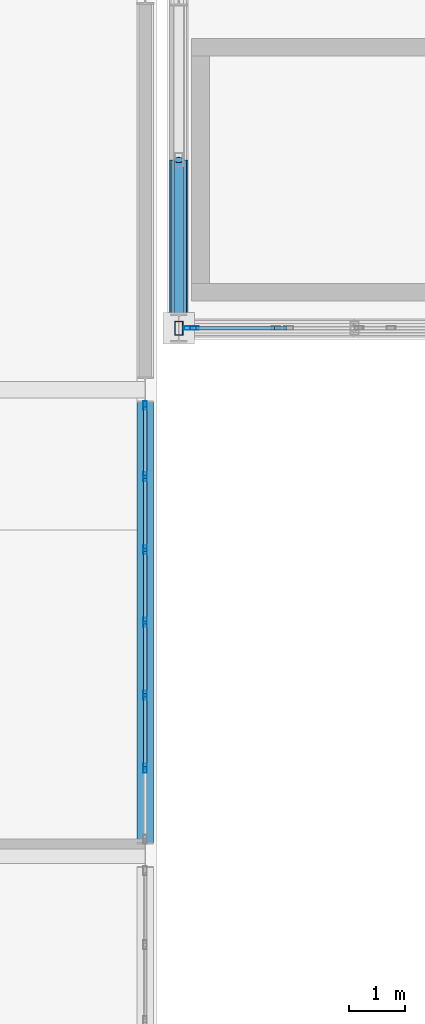
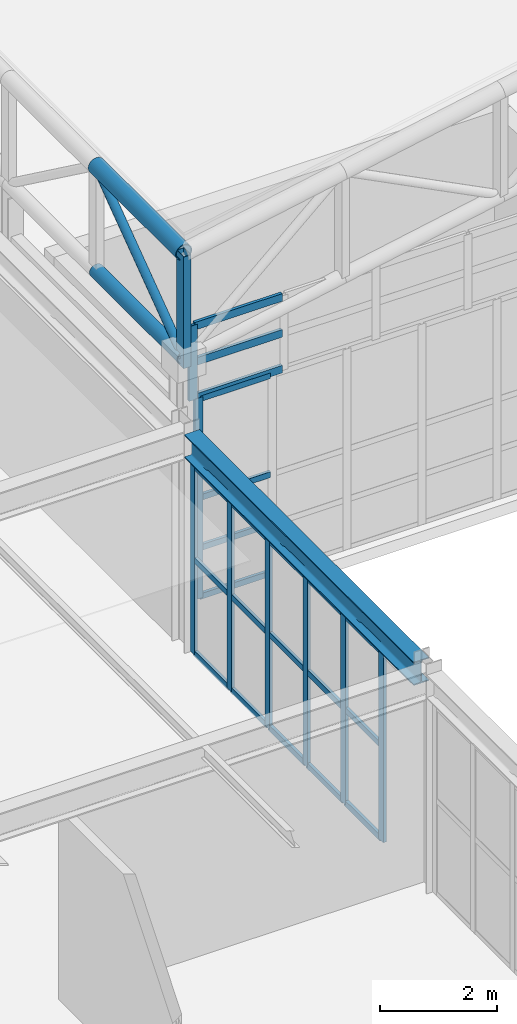
# One storey, part 41 of 112: 34 members, 1 beam, 3 elements without a shape of their own.
"""IFC4 building model written with IfcOpenShell, lengths in metres."""

import ifcopenshell
import ifcopenshell.guid

model = None  # the IFC model being written
_history = None  # IfcOwnerHistory: only IFC2X3 demands one
_inside = {}  # id of a spatial element -> (the spatial element, [elements in it])
_under = {}  # id of a project, library or spatial element -> (it, [spatial elements below it])
_declared = {}  # id of a project -> (the project, [libraries it declares])
_typed = {}  # id of a type object -> (the type object, [elements of that type])
_made_of = {}  # id of a material, layer set ... -> (it, [elements and type objects made of it])


def new_model(schema):
    """Start an empty IFC model of exactly this schema.

    Asked for "IFC4X3", IfcOpenShell would pick the latest addendum, in which some entities
    have other attributes; the version numbers below select the first issue.
    IFC2X3 requires an IfcOwnerHistory on every rooted entity: one is made here for all.
    """
    global model, _history
    if schema == "IFC4X3":
        model = ifcopenshell.file(schema_version=(4, 3, 0, 0))
    else:
        model = ifcopenshell.file(schema=schema)
    _inside.clear()
    _under.clear()
    _declared.clear()
    _typed.clear()
    _made_of.clear()
    _history = None
    if model.schema == "IFC2X3":
        org = make("IfcOrganization", Name="unknown")
        user = make(
            "IfcPersonAndOrganization",
            ThePerson=make("IfcPerson", FamilyName="unknown"),
            TheOrganization=org,
        )
        app = make(
            "IfcApplication",
            ApplicationDeveloper=org,
            Version="unknown",
            ApplicationFullName="unknown",
            ApplicationIdentifier="unknown",
        )
        _history = make(
            "IfcOwnerHistory",
            OwningUser=user,
            OwningApplication=app,
            ChangeAction="ADDED",
            CreationDate=0,
        )
    return model


def make(cls, **values):
    """One entity of the class cls with the attributes given. An attribute that is None is left unset."""
    return model.create_entity(
        cls, **{name: value for name, value in values.items() if value is not None}
    )


def rooted(cls, **values):
    """An entity with a GlobalId (a new one), such as an element, a storey or a relation."""
    return make(cls, GlobalId=ifcopenshell.guid.new(), OwnerHistory=_history, **values)


def si_unit(unit_type, name, prefix=None):
    """IfcSIUnit, for example si_unit("LENGTHUNIT", "METRE", prefix="MILLI")."""
    return make("IfcSIUnit", UnitType=unit_type, Prefix=prefix, Name=name)


def assignment(units):
    """IfcUnitAssignment: the units of a project."""
    return None if units is None else make("IfcUnitAssignment", Units=units)


def point(xyz):
    """IfcCartesianPoint."""
    return None if xyz is None else make("IfcCartesianPoint", Coordinates=xyz)


def direction(xyz):
    """IfcDirection."""
    return None if xyz is None else make("IfcDirection", DirectionRatios=xyz)


def frame(location, z_axis=None, x_axis=None):
    """IfcAxis2Placement3D, a coordinate frame: its origin and axes. An axis left out is left unset."""
    return make(
        "IfcAxis2Placement3D",
        Location=point(location),
        Axis=direction(z_axis),
        RefDirection=direction(x_axis),
    )


def frame_2d(location, x_axis=None):
    """IfcAxis2Placement2D, a coordinate frame in the plane: its origin and x axis."""
    return make(
        "IfcAxis2Placement2D", Location=point(location), RefDirection=direction(x_axis)
    )


def origin():
    """The frame at (0, 0, 0) with its axes left unset."""
    return frame((0.0, 0.0, 0.0))


def origin_2d():
    """The frame at (0, 0) in the plane with its x axis left unset."""
    return frame_2d((0.0, 0.0))


def place(relative_to, where):
    """IfcLocalPlacement: puts the frame where relative to a parent placement (None: the world)."""
    return make(
        "IfcLocalPlacement", PlacementRelTo=relative_to, RelativePlacement=where
    )


def context(
    kind, dimensions, precision=None, world=None, true_north=None, identifier=None
):
    """IfcGeometricRepresentationContext, for example the 3D "Model" context."""
    return make(
        "IfcGeometricRepresentationContext",
        ContextIdentifier=identifier,
        ContextType=kind,
        CoordinateSpaceDimension=dimensions,
        Precision=precision,
        WorldCoordinateSystem=world,
        TrueNorth=true_north,
    )


def subcontext(parent, identifier, kind, view, scale=None):
    """IfcGeometricRepresentationSubContext, for example "Body" below "Model"."""
    return make(
        "IfcGeometricRepresentationSubContext",
        ContextIdentifier=identifier,
        ContextType=kind,
        ParentContext=parent,
        TargetScale=scale,
        TargetView=view,
    )


def project(units=None, contexts=None):
    """IfcProject with its units and contexts."""
    return rooted(
        "IfcProject",
        Name="project",
        RepresentationContexts=contexts,
        UnitsInContext=assignment(units),
    )


def spatial(cls, under=None, at=None, **own):
    """A site, building, storey or space (cls), placed at a placement, below another one or the project."""
    s = rooted(cls, ObjectPlacement=at, **own)
    if under is not None:
        _under.setdefault(under.id(), (under, []))[1].append(s)
    return s


def profile(cls, at=None, kind="AREA", **sizes):
    """A parametric profile (cls). Its sizes go by their IFC names, for example OverallWidth=200.0."""
    return make(cls, ProfileType=kind, Position=at, **sizes)


def hollow_rectangle(**sizes):
    """IfcRectangleHollowProfileDef."""
    return profile("IfcRectangleHollowProfileDef", **sizes)


def hollow_circle(**sizes):
    """IfcCircleHollowProfileDef."""
    return profile("IfcCircleHollowProfileDef", **sizes)


def i_section(**sizes):
    """IfcIShapeProfileDef."""
    return profile("IfcIShapeProfileDef", **sizes)


def extrude(swept, where, along, depth):
    """IfcExtrudedAreaSolid: the profile swept, set in the frame where, extruded along a direction by depth."""
    return make(
        "IfcExtrudedAreaSolid",
        SweptArea=swept,
        Position=where,
        ExtrudedDirection=direction(along),
        Depth=depth,
    )


def shape(context_of_items, identifier, shape_type, items):
    """IfcShapeRepresentation: the items that make up one representation, for example the "Body"."""
    return make(
        "IfcShapeRepresentation",
        ContextOfItems=context_of_items,
        RepresentationIdentifier=identifier,
        RepresentationType=shape_type,
        Items=items,
    )


def material(Name=None, Category=None):
    """IfcMaterial."""
    return make("IfcMaterial", Name=Name, Category=Category)


def material_profile(
    of_material, cross_section, Name=None, Category=None, Priority=None
):
    """IfcMaterialProfile: a cross section and its material."""
    return make(
        "IfcMaterialProfile",
        Name=Name,
        Material=of_material,
        Profile=cross_section,
        Priority=Priority,
        Category=Category,
    )


def profile_set(profiles, Name=None, composite=None):
    """IfcMaterialProfileSet."""
    return make(
        "IfcMaterialProfileSet",
        Name=Name,
        MaterialProfiles=profiles,
        CompositeProfile=composite,
    )


def made_of(thing, what):
    """Note that an element or type object is made of a material, layer set ...; save() writes the relation."""
    if what is not None:
        _made_of.setdefault(what.id(), (what, []))[1].append(thing)
    return thing


def type_object(cls, material=None, **own):
    """A type object (cls), such as IfcWallType, which elements share."""
    return made_of(rooted(cls, **own), material)


def element(
    cls,
    number,
    at=None,
    inside=None,
    cuts=None,
    type_object=None,
    material=None,
    context=None,
    identifier="Body",
    shape_type=None,
    held_by="IfcProductDefinitionShape",
    body=None,
    shapes=None,
    **own,
):
    """One element of the class cls, such as IfcWall. Its Tag is "e" and its number.

    at: its placement. inside: the storey or other place that contains it. cuts: it is an
    opening in that element (IfcRelVoidsElement). A single representation is given by context,
    identifier, shape_type and body (its items); several are given by shapes. held_by: the class
    of the entity that holds the representations. save() writes the other relations.
    """
    e = rooted(cls, Tag="e%d" % number, ObjectPlacement=at, **own)
    if body is not None:
        shapes = [shape(context, identifier, shape_type, body)]
    if shapes is not None:
        e.Representation = make(held_by, Representations=shapes)
    if inside is not None:
        _inside.setdefault(inside.id(), (inside, []))[1].append(e)
    if cuts is not None:
        rooted(
            "IfcRelVoidsElement", RelatingBuildingElement=cuts, RelatedOpeningElement=e
        )
    if type_object is not None:
        _typed.setdefault(type_object.id(), (type_object, []))[1].append(e)
    return made_of(e, material)


def aggregate(whole, parts):
    """IfcRelAggregates: a whole, such as a stair, and the parts it consists of."""
    return rooted("IfcRelAggregates", RelatingObject=whole, RelatedObjects=parts)


def save(model, path):
    """Write the relations noted so far, then the file.

    IfcRelAggregates (storeys below a building ...), IfcRelContainedInSpatialStructure (elements
    in a storey), IfcRelDefinesByType, IfcRelAssociatesMaterial and IfcRelDeclares: one each for
    every whole, place, type object, material and project.
    """
    for whole, parts in _under.values():
        aggregate(whole, parts)
    for where, things in _inside.values():
        rooted(
            "IfcRelContainedInSpatialStructure",
            RelatedElements=things,
            RelatingStructure=where,
        )
    for kind, things in _typed.values():
        rooted("IfcRelDefinesByType", RelatedObjects=things, RelatingType=kind)
    for what, things in _made_of.values():
        rooted("IfcRelAssociatesMaterial", RelatedObjects=things, RelatingMaterial=what)
    for by, libraries in _declared.values():
        rooted("IfcRelDeclares", RelatingContext=by, RelatedDefinitions=libraries)
    model.write(path)


model = new_model("IFC4")

# Units and contexts
model_context = context("Model", 3, precision=1e-05, world=origin(), true_north=direction((0.0, 1.0)))
body_context = subcontext(model_context, "Body", "Model", "MODEL_VIEW")
ifc_project = project(units=[si_unit("LENGTHUNIT", "METRE"), si_unit("AREAUNIT", "SQUARE_METRE"), si_unit("VOLUMEUNIT", "CUBIC_METRE"), si_unit("PLANEANGLEUNIT", "RADIAN"), si_unit("MASSUNIT", "GRAM", prefix="KILO")], contexts=[model_context])

# Site, building, storey
site_placement = place(None, origin())
site = spatial("IfcSite", under=ifc_project, at=site_placement, CompositionType="ELEMENT")
building_placement = place(site_placement, origin())
building = spatial("IfcBuilding", under=site, at=building_placement, Name="Kaldris Quays Convention Centre", CompositionType="ELEMENT")
storey_placement = place(building_placement, frame((0.0, 0.0, 16.800048828125)))
storey = spatial("IfcBuildingStorey", under=building, at=storey_placement, Name="L03", CompositionType="ELEMENT", Elevation=16.800048828125)

# Curtain wall, member
ifc_material_1 = material(Name="Anodized aluminium AW-6060 and triple glazing", Category="aluminium")
curtain_wall_type_1 = type_object("IfcCurtainWallType", Name="UNITISED CURTAIN WALL CW01", PredefinedType="NOTDEFINED", material=ifc_material_1)
curtain_wall_1_placement = place(storey_placement, origin())
curtain_wall_1 = element("IfcCurtainWall", 1, at=curtain_wall_1_placement, inside=storey, type_object=curtain_wall_type_1, Name="L03 Unitised Curtain Wall CW01 36", PredefinedType="NOTDEFINED")
ifc_material_2 = material(Name="Anodized aluminium AW-6060", Category="aluminium")
ifc_material_profile_1 = material_profile(ifc_material_2, hollow_rectangle(XDim=0.06005859375, YDim=0.159912109375, WallThickness=0.00390625, at=origin_2d()), Name="RHS 160x60x4")
ifc_profile_set_1 = profile_set([ifc_material_profile_1], Name="Anodized aluminium AW-6060")
member_type_1 = type_object("IfcMemberType", Name="CURTAIN MULLION CWM1", PredefinedType="MULLION", material=ifc_profile_set_1)
member_1_placement = place(storey_placement, frame((164.8798828125, 56.0, 0.0), z_axis=(0.0, 0.0, 1.0), x_axis=(0.0, 1.0, 0.0)))
member_1 = element("IfcMember", 2, at=member_1_placement, type_object=member_type_1, Name="CW01 mullion 1", PredefinedType="MULLION", context=body_context, shape_type="SweptSolid", body=[
    extrude(hollow_rectangle(XDim=0.06005859375, YDim=0.159912109375, WallThickness=0.00390625, at=origin_2d()), origin(), (0.0, 0.0, 1.0), 4.199951171875),
])

# Curtain wall, members
curtain_wall_type_2 = type_object("IfcCurtainWallType", Name="UNITISED CURTAIN WALL CW04", PredefinedType="NOTDEFINED", material=ifc_material_1)
curtain_wall_2_placement = place(storey_placement, origin())
curtain_wall_2 = element("IfcCurtainWall", 3, at=curtain_wall_2_placement, inside=storey, type_object=curtain_wall_type_2, Name="L03 Unitised Curtain Wall CW04 147", PredefinedType="NOTDEFINED")
member_2_placement = place(storey_placement, frame((164.0, 48.14990234375, 0.0), z_axis=(0.0, 0.0, 1.0), x_axis=(-1.0, 0.0, 0.0)))
member_2 = element("IfcMember", 4, at=member_2_placement, type_object=member_type_1, Name="CW04 mullion 2", PredefinedType="MULLION", context=body_context, shape_type="SweptSolid", body=[
    extrude(hollow_rectangle(XDim=0.06005859375, YDim=0.159912109375, WallThickness=0.00390625, at=origin_2d()), origin(), (0.0, 0.0, 1.0), 3.96484375),
])
member_3_placement = place(storey_placement, frame((164.0, 49.449951171875, 0.0), z_axis=(0.0, 0.0, 1.0), x_axis=(-1.0, 0.0, 0.0)))
member_3 = element("IfcMember", 5, at=member_3_placement, type_object=member_type_1, Name="CW04 mullion 3", PredefinedType="MULLION", context=body_context, shape_type="SweptSolid", body=[
    extrude(hollow_rectangle(XDim=0.06005859375, YDim=0.159912109375, WallThickness=0.00390625, at=origin_2d()), origin(), (0.0, 0.0, 1.0), 3.96484375),
])
member_4_placement = place(storey_placement, frame((164.0, 50.75, 0.0), z_axis=(0.0, 0.0, 1.0), x_axis=(-1.0, 0.0, 0.0)))
member_4 = element("IfcMember", 6, at=member_4_placement, type_object=member_type_1, Name="CW04 mullion 4", PredefinedType="MULLION", context=body_context, shape_type="SweptSolid", body=[
    extrude(hollow_rectangle(XDim=0.06005859375, YDim=0.159912109375, WallThickness=0.00390625, at=origin_2d()), origin(), (0.0, 0.0, 1.0), 3.96484375),
])
member_5_placement = place(storey_placement, frame((164.0, 52.050048828125, 0.0), z_axis=(0.0, 0.0, 1.0), x_axis=(-1.0, 0.0, 0.0)))
member_5 = element("IfcMember", 7, at=member_5_placement, type_object=member_type_1, Name="CW04 mullion 5", PredefinedType="MULLION", context=body_context, shape_type="SweptSolid", body=[
    extrude(hollow_rectangle(XDim=0.06005859375, YDim=0.159912109375, WallThickness=0.00390625, at=origin_2d()), origin(), (0.0, 0.0, 1.0), 3.96484375),
])
member_6_placement = place(storey_placement, frame((164.0, 53.35009765625, 0.0), z_axis=(0.0, 0.0, 1.0), x_axis=(-1.0, 0.0, 0.0)))
member_6 = element("IfcMember", 8, at=member_6_placement, type_object=member_type_1, Name="CW04 mullion 6", PredefinedType="MULLION", context=body_context, shape_type="SweptSolid", body=[
    extrude(hollow_rectangle(XDim=0.06005859375, YDim=0.159912109375, WallThickness=0.00390625, at=origin_2d()), origin(), (0.0, 0.0, 1.0), 3.96484375),
])
member_7_placement = place(storey_placement, frame((164.0, 54.6201171875, 0.0), z_axis=(0.0, 0.0, 1.0), x_axis=(-1.0, 0.0, 0.0)))
member_7 = element("IfcMember", 9, at=member_7_placement, type_object=member_type_1, Name="CW04 mullion 7", PredefinedType="MULLION", context=body_context, shape_type="SweptSolid", body=[
    extrude(hollow_rectangle(XDim=0.06005859375, YDim=0.159912109375, WallThickness=0.00390625, at=origin_2d()), origin(), (0.0, 0.0, 1.0), 3.96484375),
])

# Curtain wall, member
curtain_wall_type_3 = type_object("IfcCurtainWallType", Name="UNITISED CURTAIN WALL CW05", PredefinedType="NOTDEFINED", material=ifc_material_1)
curtain_wall_3_placement = place(storey_placement, origin())
curtain_wall_3 = element("IfcCurtainWall", 10, at=curtain_wall_3_placement, inside=storey, type_object=curtain_wall_type_3, Name="L03 Unitised Curtain Wall CW05 255", PredefinedType="NOTDEFINED")
member_8_placement = place(storey_placement, frame((164.77001953125, 56.0, 4.195068359375), z_axis=(0.0, 0.0, 1.0), x_axis=(0.0, 1.0, 0.0)))
member_8 = element("IfcMember", 11, at=member_8_placement, type_object=member_type_1, Name="CW05 mullion 1", PredefinedType="MULLION", context=body_context, shape_type="SweptSolid", body=[
    extrude(hollow_rectangle(XDim=0.06005859375, YDim=0.159912109375, WallThickness=0.00390625, at=origin_2d()), origin(), (0.0, 0.0, 1.0), 1.561767578125),
])

# Member
ifc_material_profile_2 = material_profile(ifc_material_2, hollow_rectangle(XDim=0.06005859375, YDim=0.1201171875, WallThickness=0.00390625, at=origin_2d()), Name="RHS 120x60x4")
ifc_profile_set_2 = profile_set([ifc_material_profile_2], Name="Anodized aluminium AW-6060")
member_type_2 = type_object("IfcMemberType", Name="CURTAIN TRANSOM CWT1", PredefinedType="USERDEFINED", material=ifc_profile_set_2)
member_9_placement = place(storey_placement, frame((164.909912109375, 56.0, 0.030029296875), z_axis=(1.0, 0.0, 0.0), x_axis=(0.0, 1.0, 0.0)))
member_9 = element("IfcMember", 12, at=member_9_placement, type_object=member_type_2, Name="CW01 transom 1.1", ObjectType="TRANSOM", PredefinedType="USERDEFINED", context=body_context, shape_type="SweptSolid", body=[
    extrude(hollow_rectangle(XDim=0.06005859375, YDim=0.1201171875, WallThickness=0.00390625, at=origin_2d()), origin(), (0.0, 0.0, 1.0), 1.393310546875),
])

member_10_placement = place(storey_placement, frame((164.909912109375, 56.0, 1.050048828125), z_axis=(1.0, 0.0, 0.0), x_axis=(0.0, 1.0, 0.0)))
member_10 = element("IfcMember", 13, at=member_10_placement, type_object=member_type_2, Name="CW01 transom 1.2", ObjectType="TRANSOM", PredefinedType="USERDEFINED", context=body_context, shape_type="SweptSolid", body=[
    extrude(hollow_rectangle(XDim=0.06005859375, YDim=0.1201171875, WallThickness=0.00390625, at=origin_2d()), origin(), (0.0, 0.0, 1.0), 1.393310546875),
])

member_11_placement = place(storey_placement, frame((164.909912109375, 56.0, 2.099853515625), z_axis=(1.0, 0.0, 0.0), x_axis=(0.0, 1.0, 0.0)))
member_11 = element("IfcMember", 14, at=member_11_placement, type_object=member_type_2, Name="CW01 transom 1.3", ObjectType="TRANSOM", PredefinedType="USERDEFINED", context=body_context, shape_type="SweptSolid", body=[
    extrude(hollow_rectangle(XDim=0.06005859375, YDim=0.1201171875, WallThickness=0.00390625, at=origin_2d()), origin(), (0.0, 0.0, 1.0), 1.393310546875),
])

member_12_placement = place(storey_placement, frame((164.909912109375, 56.0, 4.169921875), z_axis=(1.0, 0.0, 0.0), x_axis=(0.0, 1.0, 0.0)))
member_12 = element("IfcMember", 15, at=member_12_placement, type_object=member_type_2, Name="CW01 transom 1.4", ObjectType="TRANSOM", PredefinedType="USERDEFINED", context=body_context, shape_type="SweptSolid", body=[
    extrude(hollow_rectangle(XDim=0.06005859375, YDim=0.1201171875, WallThickness=0.00390625, at=origin_2d()), origin(), (0.0, 0.0, 1.0), 1.393310546875),
])

aggregate(curtain_wall_1, [member_1, member_9, member_10, member_11, member_12])

member_13_placement = place(storey_placement, frame((164.0, 48.179931640625, 0.030029296875), z_axis=(0.0, 1.0, 0.0), x_axis=(-1.0, 0.0, 0.0)))
member_13 = element("IfcMember", 16, at=member_13_placement, type_object=member_type_2, Name="CW04 transom 2.1", ObjectType="TRANSOM", PredefinedType="USERDEFINED", context=body_context, shape_type="SweptSolid", body=[
    extrude(hollow_rectangle(XDim=0.06005859375, YDim=0.1201171875, WallThickness=0.00390625, at=origin_2d()), origin(), (0.0, 0.0, 1.0), 1.239990234375),
])

member_14_placement = place(storey_placement, frame((164.0, 48.179931640625, 1.98193359375), z_axis=(0.0, 1.0, 0.0), x_axis=(-1.0, 0.0, 0.0)))
member_14 = element("IfcMember", 17, at=member_14_placement, type_object=member_type_2, Name="CW04 transom 2.2", ObjectType="TRANSOM", PredefinedType="USERDEFINED", context=body_context, shape_type="SweptSolid", body=[
    extrude(hollow_rectangle(XDim=0.06005859375, YDim=0.1201171875, WallThickness=0.00390625, at=origin_2d()), origin(), (0.0, 0.0, 1.0), 1.239990234375),
])

member_15_placement = place(storey_placement, frame((164.0, 48.179931640625, 3.93505859375), z_axis=(0.0, 1.0, 0.0), x_axis=(-1.0, 0.0, 0.0)))
member_15 = element("IfcMember", 18, at=member_15_placement, type_object=member_type_2, Name="CW04 transom 2.3", ObjectType="TRANSOM", PredefinedType="USERDEFINED", context=body_context, shape_type="SweptSolid", body=[
    extrude(hollow_rectangle(XDim=0.06005859375, YDim=0.1201171875, WallThickness=0.00390625, at=origin_2d()), origin(), (0.0, 0.0, 1.0), 1.239990234375),
])

member_16_placement = place(storey_placement, frame((164.0, 49.47998046875, 0.030029296875), z_axis=(0.0, 1.0, 0.0), x_axis=(-1.0, 0.0, 0.0)))
member_16 = element("IfcMember", 19, at=member_16_placement, type_object=member_type_2, Name="CW04 transom 3.1", ObjectType="TRANSOM", PredefinedType="USERDEFINED", context=body_context, shape_type="SweptSolid", body=[
    extrude(hollow_rectangle(XDim=0.06005859375, YDim=0.1201171875, WallThickness=0.00390625, at=origin_2d()), origin(), (0.0, 0.0, 1.0), 1.239990234375),
])

member_17_placement = place(storey_placement, frame((164.0, 49.47998046875, 1.98193359375), z_axis=(0.0, 1.0, 0.0), x_axis=(-1.0, 0.0, 0.0)))
member_17 = element("IfcMember", 20, at=member_17_placement, type_object=member_type_2, Name="CW04 transom 3.2", ObjectType="TRANSOM", PredefinedType="USERDEFINED", context=body_context, shape_type="SweptSolid", body=[
    extrude(hollow_rectangle(XDim=0.06005859375, YDim=0.1201171875, WallThickness=0.00390625, at=origin_2d()), origin(), (0.0, 0.0, 1.0), 1.239990234375),
])

member_18_placement = place(storey_placement, frame((164.0, 49.47998046875, 3.93505859375), z_axis=(0.0, 1.0, 0.0), x_axis=(-1.0, 0.0, 0.0)))
member_18 = element("IfcMember", 21, at=member_18_placement, type_object=member_type_2, Name="CW04 transom 3.3", ObjectType="TRANSOM", PredefinedType="USERDEFINED", context=body_context, shape_type="SweptSolid", body=[
    extrude(hollow_rectangle(XDim=0.06005859375, YDim=0.1201171875, WallThickness=0.00390625, at=origin_2d()), origin(), (0.0, 0.0, 1.0), 1.239990234375),
])

member_19_placement = place(storey_placement, frame((164.0, 50.780029296875, 0.030029296875), z_axis=(0.0, 1.0, 0.0), x_axis=(-1.0, 0.0, 0.0)))
member_19 = element("IfcMember", 22, at=member_19_placement, type_object=member_type_2, Name="CW04 transom 4.1", ObjectType="TRANSOM", PredefinedType="USERDEFINED", context=body_context, shape_type="SweptSolid", body=[
    extrude(hollow_rectangle(XDim=0.06005859375, YDim=0.1201171875, WallThickness=0.00390625, at=origin_2d()), origin(), (0.0, 0.0, 1.0), 1.239990234375),
])

member_20_placement = place(storey_placement, frame((164.0, 50.780029296875, 1.98193359375), z_axis=(0.0, 1.0, 0.0), x_axis=(-1.0, 0.0, 0.0)))
member_20 = element("IfcMember", 23, at=member_20_placement, type_object=member_type_2, Name="CW04 transom 4.2", ObjectType="TRANSOM", PredefinedType="USERDEFINED", context=body_context, shape_type="SweptSolid", body=[
    extrude(hollow_rectangle(XDim=0.06005859375, YDim=0.1201171875, WallThickness=0.00390625, at=origin_2d()), origin(), (0.0, 0.0, 1.0), 1.239990234375),
])

member_21_placement = place(storey_placement, frame((164.0, 50.780029296875, 3.93505859375), z_axis=(0.0, 1.0, 0.0), x_axis=(-1.0, 0.0, 0.0)))
member_21 = element("IfcMember", 24, at=member_21_placement, type_object=member_type_2, Name="CW04 transom 4.3", ObjectType="TRANSOM", PredefinedType="USERDEFINED", context=body_context, shape_type="SweptSolid", body=[
    extrude(hollow_rectangle(XDim=0.06005859375, YDim=0.1201171875, WallThickness=0.00390625, at=origin_2d()), origin(), (0.0, 0.0, 1.0), 1.239990234375),
])

member_22_placement = place(storey_placement, frame((164.0, 52.080078125, 0.030029296875), z_axis=(0.0, 1.0, 0.0), x_axis=(-1.0, 0.0, 0.0)))
member_22 = element("IfcMember", 25, at=member_22_placement, type_object=member_type_2, Name="CW04 transom 5.1", ObjectType="TRANSOM", PredefinedType="USERDEFINED", context=body_context, shape_type="SweptSolid", body=[
    extrude(hollow_rectangle(XDim=0.06005859375, YDim=0.1201171875, WallThickness=0.00390625, at=origin_2d()), origin(), (0.0, 0.0, 1.0), 1.239990234375),
])

member_23_placement = place(storey_placement, frame((164.0, 52.080078125, 1.98193359375), z_axis=(0.0, 1.0, 0.0), x_axis=(-1.0, 0.0, 0.0)))
member_23 = element("IfcMember", 26, at=member_23_placement, type_object=member_type_2, Name="CW04 transom 5.2", ObjectType="TRANSOM", PredefinedType="USERDEFINED", context=body_context, shape_type="SweptSolid", body=[
    extrude(hollow_rectangle(XDim=0.06005859375, YDim=0.1201171875, WallThickness=0.00390625, at=origin_2d()), origin(), (0.0, 0.0, 1.0), 1.239990234375),
])

member_24_placement = place(storey_placement, frame((164.0, 52.080078125, 3.93505859375), z_axis=(0.0, 1.0, 0.0), x_axis=(-1.0, 0.0, 0.0)))
member_24 = element("IfcMember", 27, at=member_24_placement, type_object=member_type_2, Name="CW04 transom 5.3", ObjectType="TRANSOM", PredefinedType="USERDEFINED", context=body_context, shape_type="SweptSolid", body=[
    extrude(hollow_rectangle(XDim=0.06005859375, YDim=0.1201171875, WallThickness=0.00390625, at=origin_2d()), origin(), (0.0, 0.0, 1.0), 1.239990234375),
])

member_25_placement = place(storey_placement, frame((164.0, 53.3798828125, 0.030029296875), z_axis=(0.0, 1.0, 0.0), x_axis=(-1.0, 0.0, 0.0)))
member_25 = element("IfcMember", 28, at=member_25_placement, type_object=member_type_2, Name="CW04 transom 6.1", ObjectType="TRANSOM", PredefinedType="USERDEFINED", context=body_context, shape_type="SweptSolid", body=[
    extrude(hollow_rectangle(XDim=0.06005859375, YDim=0.1201171875, WallThickness=0.00390625, at=origin_2d()), origin(), (0.0, 0.0, 1.0), 1.210205078125),
])

member_26_placement = place(storey_placement, frame((164.0, 53.3798828125, 1.98193359375), z_axis=(0.0, 1.0, 0.0), x_axis=(-1.0, 0.0, 0.0)))
member_26 = element("IfcMember", 29, at=member_26_placement, type_object=member_type_2, Name="CW04 transom 6.2", ObjectType="TRANSOM", PredefinedType="USERDEFINED", context=body_context, shape_type="SweptSolid", body=[
    extrude(hollow_rectangle(XDim=0.06005859375, YDim=0.1201171875, WallThickness=0.00390625, at=origin_2d()), origin(), (0.0, 0.0, 1.0), 1.210205078125),
])

member_27_placement = place(storey_placement, frame((164.0, 53.3798828125, 3.93505859375), z_axis=(0.0, 1.0, 0.0), x_axis=(-1.0, 0.0, 0.0)))
member_27 = element("IfcMember", 30, at=member_27_placement, type_object=member_type_2, Name="CW04 transom 6.3", ObjectType="TRANSOM", PredefinedType="USERDEFINED", context=body_context, shape_type="SweptSolid", body=[
    extrude(hollow_rectangle(XDim=0.06005859375, YDim=0.1201171875, WallThickness=0.00390625, at=origin_2d()), origin(), (0.0, 0.0, 1.0), 1.210205078125),
])

aggregate(curtain_wall_2, [member_2, member_3, member_4, member_5, member_6, member_7, member_13, member_14, member_15, member_16, member_17, member_18, member_19, member_20, member_21, member_22, member_23, member_24, member_25, member_26, member_27])

ifc_material_profile_3 = material_profile(ifc_material_2, hollow_rectangle(XDim=0.06005859375, YDim=0.159912109375, WallThickness=0.00390625, at=origin_2d()), Name="RHS 160x60x4")
ifc_profile_set_3 = profile_set([ifc_material_profile_3], Name="Anodized aluminium AW-6060")
member_type_3 = type_object("IfcMemberType", Name="CURTAIN TRANSOM CWT2", PredefinedType="USERDEFINED", material=ifc_profile_set_3)
member_28_placement = place(storey_placement, frame((164.800048828125, 56.0, 4.224853515625), z_axis=(1.0, 0.0, 0.0), x_axis=(0.0, 1.0, 0.0)))
member_28 = element("IfcMember", 31, at=member_28_placement, type_object=member_type_3, Name="CW05 transom 1.1", ObjectType="TRANSOM", PredefinedType="USERDEFINED", context=body_context, shape_type="SweptSolid", body=[
    extrude(hollow_rectangle(XDim=0.06005859375, YDim=0.159912109375, WallThickness=0.00390625, at=origin_2d()), origin(), (0.0, 0.0, 1.0), 1.73388671875),
])

member_29_placement = place(storey_placement, frame((164.800048828125, 56.0, 4.975830078125), z_axis=(1.0, 0.0, 0.0), x_axis=(0.0, 1.0, 0.0)))
member_29 = element("IfcMember", 32, at=member_29_placement, type_object=member_type_3, Name="CW05 transom 1.2", ObjectType="TRANSOM", PredefinedType="USERDEFINED", context=body_context, shape_type="SweptSolid", body=[
    extrude(hollow_rectangle(XDim=0.06005859375, YDim=0.159912109375, WallThickness=0.00390625, at=origin_2d()), origin(), (0.0, 0.0, 1.0), 1.73388671875),
])

member_30_placement = place(storey_placement, frame((164.800048828125, 56.0, 5.72705078125), z_axis=(1.0, 0.0, 0.0), x_axis=(0.0, 1.0, 0.0)))
member_30 = element("IfcMember", 33, at=member_30_placement, type_object=member_type_3, Name="CW05 transom 1.3", ObjectType="TRANSOM", PredefinedType="USERDEFINED", context=body_context, shape_type="SweptSolid", body=[
    extrude(hollow_rectangle(XDim=0.06005859375, YDim=0.159912109375, WallThickness=0.00390625, at=origin_2d()), origin(), (0.0, 0.0, 1.0), 1.73388671875),
])

aggregate(curtain_wall_3, [member_8, member_28, member_29, member_30])

# Beam
ifc_material_3 = material(Name="Steel S355J2", Category="steel")
ifc_material_profile_4 = material_profile(ifc_material_3, i_section(OverallWidth=0.300048828125, OverallDepth=0.489990234375, WebThickness=0.011962890625, FlangeThickness=0.02294921875, FilletRadius=0.027099609375, at=origin_2d()), Name="HEA 500")
ifc_profile_set_4 = profile_set([ifc_material_profile_4], Name="Steel S355J2")
beam_type = type_object("IfcBeamType", Name="STRUCTURAL BEAM BM09", PredefinedType="BEAM", material=ifc_profile_set_4)
beam_placement = place(storey_placement, frame((164.0, 46.819091796875, 4.3349609375), z_axis=(0.0, 1.0, 0.0), x_axis=(-1.0, 0.0, 0.0)))
element("IfcBeam", 34, at=beam_placement, inside=storey, type_object=beam_type, Name="L03 Girder BM09 91", PredefinedType="BEAM", context=body_context, shape_type="SweptSolid", body=[
    extrude(i_section(OverallWidth=0.300048828125, OverallDepth=0.489990234375, WebThickness=0.011962890625, FlangeThickness=0.02294921875, FilletRadius=0.027099609375, at=origin_2d()), origin(), (0.0, 0.0, 1.0), 7.86181640625),
])

# Members
ifc_material_4 = material(Name="Steel S355J2H", Category="steel")
ifc_material_profile_5 = material_profile(ifc_material_4, hollow_circle(Radius=0.161865234375, WallThickness=0.01611328125, at=origin_2d()), Name="CHS 323.9x16")
ifc_profile_set_5 = profile_set([ifc_material_profile_5], Name="Steel S355J2H")
member_type_4 = type_object("IfcMemberType", Name="STRUCTURAL MEMBER SC03", PredefinedType="CHORD", material=ifc_profile_set_5)
member_31_placement = place(storey_placement, frame((164.60009765625, 56.0, 7.33056640625), z_axis=(0.0, 1.0, 0.0), x_axis=(-1.0, 0.0, 0.0)))
element("IfcMember", 35, at=member_31_placement, inside=storey, type_object=member_type_4, Name="SF-V2 Top Chord Y 76", PredefinedType="CHORD", context=body_context, shape_type="SweptSolid", body=[
    extrude(hollow_circle(Radius=0.161865234375, WallThickness=0.01611328125, at=origin_2d()), origin(), (0.0, 0.0, 1.0), 3.0),
])
ifc_material_profile_6 = material_profile(ifc_material_4, hollow_circle(Radius=0.136474609375, WallThickness=0.012451171875, at=origin_2d()), Name="CHS 273x12.5")
ifc_profile_set_6 = profile_set([ifc_material_profile_6], Name="Steel S355J2H")
member_type_5 = type_object("IfcMemberType", Name="STRUCTURAL MEMBER SC04", PredefinedType="CHORD", material=ifc_profile_set_6)
member_32_placement = place(storey_placement, frame((164.60009765625, 56.0, 5.13037109375), z_axis=(0.0, 1.0, 0.0), x_axis=(-1.0, 0.0, 0.0)))
element("IfcMember", 36, at=member_32_placement, inside=storey, type_object=member_type_5, Name="SF-V2 Bottom Chord Y 76", PredefinedType="CHORD", context=body_context, shape_type="SweptSolid", body=[
    extrude(hollow_circle(Radius=0.136474609375, WallThickness=0.012451171875, at=origin_2d()), origin(), (0.0, 0.0, 1.0), 3.0),
])
ifc_material_profile_7 = material_profile(ifc_material_4, hollow_circle(Radius=0.084228515625, WallThickness=0.008056640625, at=origin_2d()), Name="CHS 168.3x8")
ifc_profile_set_7 = profile_set([ifc_material_profile_7], Name="Steel S355J2H")
member_type_6 = type_object("IfcMemberType", Name="STRUCTURAL MEMBER SWB2", PredefinedType="BRACE", material=ifc_profile_set_7)
member_33_placement = place(storey_placement, frame((164.60009765625, 56.0, 5.13037109375), z_axis=(0.0, 0.806379959628, 0.591397802423), x_axis=(-1.0, 0.0, 0.0)))
element("IfcMember", 37, at=member_33_placement, inside=storey, type_object=member_type_6, Name="SF-V2 Web Diagonal Y 76", PredefinedType="BRACE", context=body_context, shape_type="SweptSolid", body=[
    extrude(hollow_circle(Radius=0.084228515625, WallThickness=0.008056640625, at=origin_2d()), origin(), (0.0, 0.0, 1.0), 3.72021484375),
])
ifc_material_profile_8 = material_profile(ifc_material_4, hollow_rectangle(XDim=0.14990234375, YDim=0.25, WallThickness=0.010009765625, at=origin_2d()), Name="RHS 250x150x10")
ifc_profile_set_8 = profile_set([ifc_material_profile_8], Name="Steel S355J2H")
member_type_7 = type_object("IfcMemberType", Name="STRUCTURAL MEMBER TTV1", PredefinedType="POST", material=ifc_profile_set_8)
member_34_placement = place(storey_placement, frame((164.60009765625, 56.0, 4.993896484375), z_axis=(0.0, 0.0, 1.0), x_axis=(1.0, 0.0, 0.0)))
element("IfcMember", 38, at=member_34_placement, inside=storey, type_object=member_type_7, Name="SF-V2 Space-Frame Post 1", PredefinedType="POST", context=body_context, shape_type="SweptSolid", body=[
    extrude(hollow_rectangle(XDim=0.14990234375, YDim=0.25, WallThickness=0.010009765625, at=origin_2d()), origin(), (0.0, 0.0, 1.0), 2.336669921875),
])

save(model, "model.ifc")
